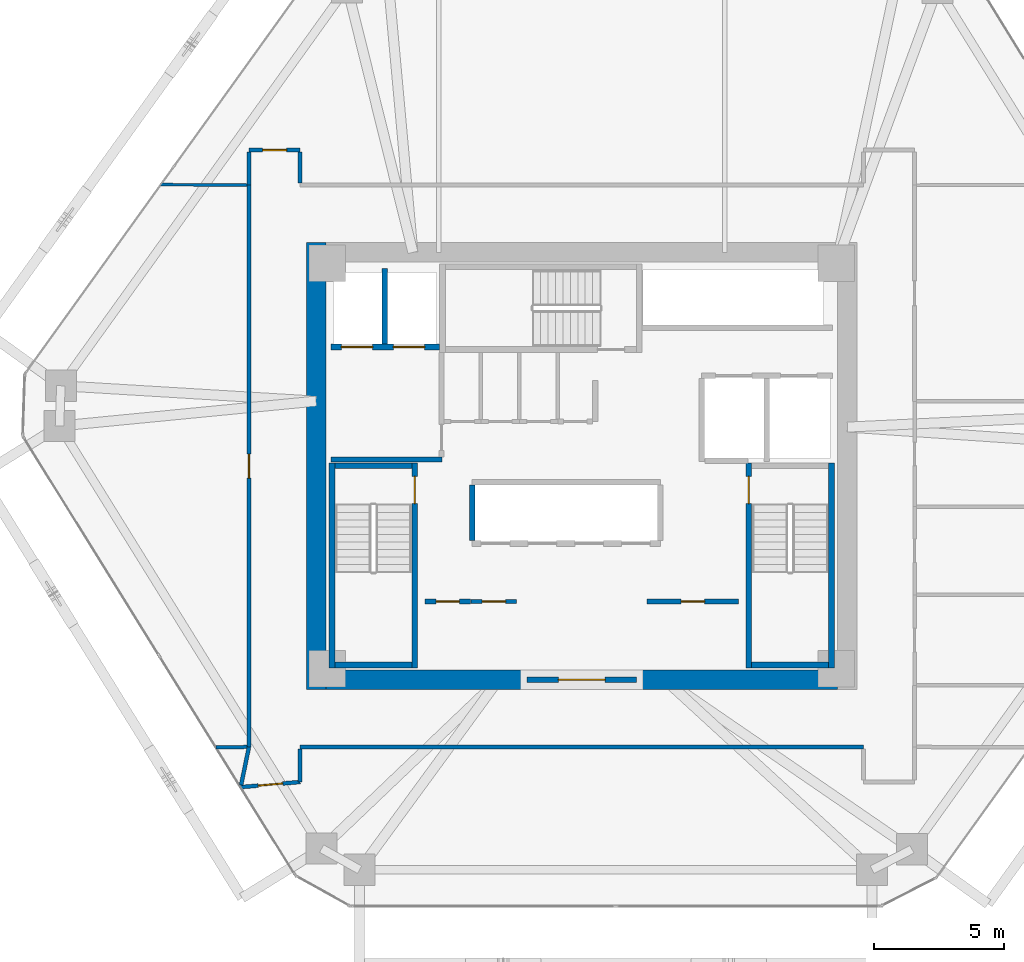
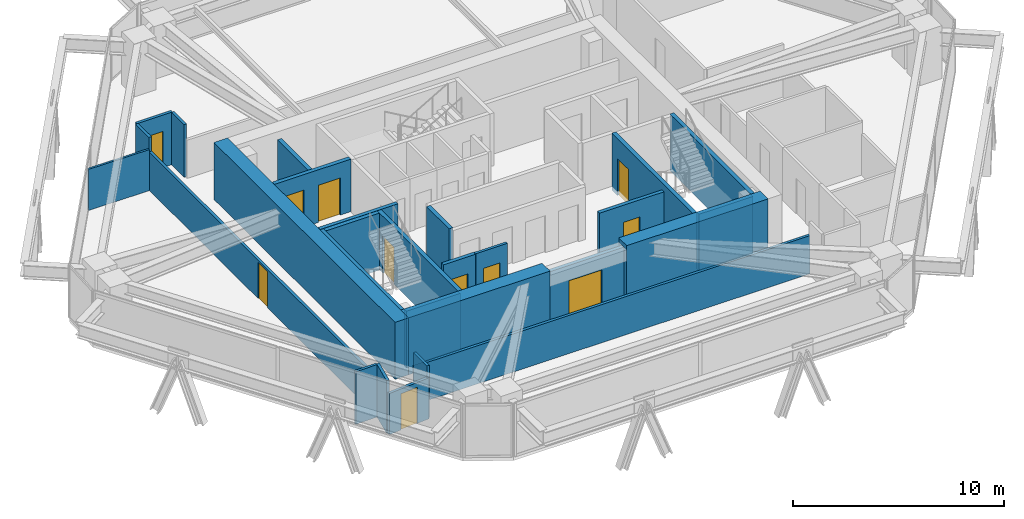
# One storey, part 12 of 15: 28 walls, 11 doors, 11 openings.
"""IFC4 building model written with IfcOpenShell, lengths in metres."""

from ifc_helpers import new_model, si_unit, direction, frame, frame_2d, origin, place, context, subcontext, project, spatial, rectangle, extrude, source, transform, mapped, material, layer, layer_set, type_object, type_shapes, element, fill, save


model = new_model("IFC4")

# Units and contexts
model_context = context("Model", 3, precision=1e-05, world=origin(), true_north=direction((0.0, 1.0)))
body_context = subcontext(model_context, "Body", "Model", "MODEL_VIEW")
ifc_project = project(units=[si_unit("LENGTHUNIT", "METRE"), si_unit("AREAUNIT", "SQUARE_METRE"), si_unit("VOLUMEUNIT", "CUBIC_METRE"), si_unit("PLANEANGLEUNIT", "RADIAN"), si_unit("MASSUNIT", "GRAM", prefix="KILO")], contexts=[model_context])

# Site, building, storey
site_placement = place(None, origin())
site = spatial("IfcSite", under=ifc_project, at=site_placement, CompositionType="ELEMENT")
building_placement = place(site_placement, origin())
building = spatial("IfcBuilding", under=site, at=building_placement, Name="Durnholm Broadcast Tower", CompositionType="ELEMENT")
storey_placement = place(building_placement, frame((0.0, 0.0, 97.5)))
storey = spatial("IfcBuildingStorey", under=building, at=storey_placement, Name="L25", CompositionType="ELEMENT", Elevation=97.5)

# Walls
ifc_material_1 = material(Name="Concrete C70/85", Category="concrete")
ifc_layer_1 = layer(ifc_material_1, 0.75)
ifc_layer_set_1 = layer_set([ifc_layer_1], Name="Concrete C70/85")
wall_type_1 = type_object("IfcWallType", Name="WALL-CW-750", PredefinedType="SHEAR", material=ifc_layer_set_1)
wall_1_placement = place(storey_placement, frame((-10.22509765625, -8.60009765625, 0.0), z_axis=(0.0, 0.0, 1.0), x_axis=(0.0, 1.0, 0.0)))
element("IfcWall", 1, at=wall_1_placement, inside=storey, type_object=wall_type_1, Name="L25 central core shear wall CW-WEST", PredefinedType="SHEAR", context=body_context, shape_type="SweptSolid", body=[
    extrude(rectangle(XDim=17.2001953125, YDim=0.75, at=frame_2d((8.60009765625, 0.0))), origin(), (0.0, 0.0, 1.0), 3.300048828125),
])
for number, where, z_axis, x_axis, name in (
    (2, (-9.85009765625, -8.22509765625, 0.0), (0.0, 0.0, 1.0), (1.0, 0.0, 0.0), "L25 central core shear wall CW-S1"),
    (3, (2.10009765625, -8.22509765625, 0.0), (0.0, 0.0, 1.0), (1.0, 0.0, 0.0), "L25 central core shear wall CW-S2"),
):
    element("IfcWall", number, at=place(storey_placement, frame(where, z_axis=z_axis, x_axis=x_axis)), inside=storey, type_object=wall_type_1, Name=name, PredefinedType="SHEAR", context=body_context, shape_type="SweptSolid", body=[
        extrude(rectangle(XDim=7.75, YDim=0.75, at=frame_2d((3.875, 0.0))), origin(), (0.0, 0.0, 1.0), 3.300048828125),
    ])

# Wall, opening, door
ifc_material_2 = material(Name="Fire-Rated Gypsum Shaftwall", Category="concrete")
ifc_layer_2 = layer(ifc_material_2, 0.199951171875)
ifc_layer_set_2 = layer_set([ifc_layer_2], Name="Fire-Rated Gypsum Shaftwall")
wall_type_2 = type_object("IfcWallType", Name="WALL-LOB-200", PredefinedType="SOLIDWALL", material=ifc_layer_set_2)
wall_2_placement = place(storey_placement, frame((-2.10009765625, -8.22509765625, 0.0), z_axis=(0.0, 0.0, 1.0), x_axis=(1.0, 0.0, 0.0)))
wall_2 = element("IfcWall", 4, at=wall_2_placement, inside=storey, type_object=wall_type_2, Name="L25 south core lobby fire screen", PredefinedType="SOLIDWALL", context=body_context, shape_type="SweptSolid", body=[
    extrude(rectangle(XDim=4.2001953125, YDim=0.199951171875, at=frame_2d((2.10009765625, 0.0))), origin(), (0.0, 0.0, 1.0), 3.044921875),
])
opening_1_placement = place(wall_2_placement, frame((1.199951171875, 0.0, 0.0)))
opening_1 = element("IfcOpeningElement", 5, at=opening_1_placement, cuts=wall_2, Name="Opening DP-60", PredefinedType="OPENING", context=body_context, shape_type="SweptSolid", body=[
    extrude(rectangle(XDim=1.800048828125, YDim=2.14990234375, at=frame_2d((0.89990234375, 1.074951171875))), frame((0.0, 0.10986328125, 0.0), z_axis=(0.0, -1.0, 0.0), x_axis=(1.0, 0.0, 0.0)), (0.0, 0.0, 1.0), 0.219970703125),
])
ifc_material_3 = material(Name="Fire-Rated Double Corridor Door", Category="steel")
ifc_layer_3 = layer(ifc_material_3, 0.050048828125)
ifc_layer_set_3 = layer_set([ifc_layer_3], Name="Fire-Rated Double Corridor Door")
door_type_1 = type_object("IfcDoorType", Name="DOOR-PAIR-FD60", OperationType="DOUBLE_DOOR_SINGLE_SWING", PredefinedType="DOOR", material=ifc_layer_set_3)
shared_shape_1 = source(origin(), body_context, "Body", "SweptSolid", [
    extrude(rectangle(XDim=1.800048828125, YDim=2.14990234375, at=frame_2d((0.89990234375, 1.074951171875))), frame((0.0, 0.02490234375, 0.0), z_axis=(0.0, -1.0, 0.0), x_axis=(1.0, 0.0, 0.0)), (0.0, 0.0, 1.0), 0.050048828125),
])
type_shapes(door_type_1, [shared_shape_1])
door_1_placement = place(opening_1_placement, origin())
door_1 = element("IfcDoor", 6, at=door_1_placement, inside=storey, type_object=door_type_1, Name="L25 south core lobby double fire door", OperationType="DOUBLE_DOOR_SINGLE_SWING", OverallHeight=2.14990234375, OverallWidth=1.800048828125, PredefinedType="DOOR", context=body_context, shape_type="MappedRepresentation", body=[
    mapped(shared_shape_1, transform((0.0, 0.0, 0.0), x_axis=(1.0, 0.0, 0.0), y_axis=(0.0, 1.0, 0.0), z_axis=(0.0, 0.0, 1.0), scale=1.0)),
])
fill(opening_1, door_1)

# Wall
wall_3_placement = place(storey_placement, frame((-9.64990234375, 0.25, 0.0), z_axis=(0.0, 0.0, 1.0), x_axis=(1.0, 0.0, 0.0)))
element("IfcWall", 7, at=wall_3_placement, inside=storey, type_object=wall_type_2, Name="L25 Fire Service Access Elevator lobby south wall", PredefinedType="SOLIDWALL", context=body_context, shape_type="SweptSolid", body=[
    extrude(rectangle(XDim=4.27001953125, YDim=0.199951171875, at=frame_2d((2.135009765625, 0.0))), origin(), (0.0, 0.0, 1.0), 3.044921875),
])

# Wall, opening, door
wall_4_placement = place(storey_placement, frame((-6.0400390625, -5.2099609375, 0.0), z_axis=(0.0, 0.0, 1.0), x_axis=(1.0, 0.0, 0.0)))
wall_4 = element("IfcWall", 8, at=wall_4_placement, inside=storey, type_object=wall_type_2, Name="L25 Media Fiber Patch Room corridor partition", PredefinedType="SOLIDWALL", context=body_context, shape_type="SweptSolid", body=[
    extrude(rectangle(XDim=1.760009765625, YDim=0.199951171875, at=frame_2d((0.8798828125, 0.0))), origin(), (0.0, 0.0, 1.0), 3.044921875),
])
opening_2_placement = place(wall_4_placement, frame((0.429931640625, 0.0, 0.0)))
opening_2 = element("IfcOpeningElement", 9, at=opening_2_placement, cuts=wall_4, Name="Opening DC-60L", PredefinedType="OPENING", context=body_context, shape_type="SweptSolid", body=[
    extrude(rectangle(XDim=0.89990234375, YDim=2.050048828125, at=frame_2d((0.449951171875, 1.02490234375))), frame((0.0, 0.10986328125, 0.0), z_axis=(0.0, -1.0, 0.0), x_axis=(1.0, 0.0, 0.0)), (0.0, 0.0, 1.0), 0.219970703125),
])
ifc_material_4 = material(Name="Fire-Rated Core Service Door", Category="steel")
ifc_layer_4 = layer(ifc_material_4, 0.050048828125)
ifc_layer_set_4 = layer_set([ifc_layer_4], Name="Fire-Rated Core Service Door")
door_type_2 = type_object("IfcDoorType", Name="DOOR-CORE-FD60-L", OperationType="NOTDEFINED", PredefinedType="DOOR", material=ifc_layer_set_4)
shared_shape_2 = source(origin(), body_context, "Body", "SweptSolid", [
    extrude(rectangle(XDim=0.89990234375, YDim=2.050048828125, at=frame_2d((0.449951171875, 1.02490234375))), frame((0.0, 0.02490234375, 0.0), z_axis=(0.0, -1.0, 0.0), x_axis=(1.0, 0.0, 0.0)), (0.0, 0.0, 1.0), 0.050048828125),
])
type_shapes(door_type_2, [shared_shape_2])
door_2_placement = place(opening_2_placement, origin())
door_2 = element("IfcDoor", 10, at=door_2_placement, inside=storey, type_object=door_type_2, Name="L25 Media Fiber Patch Room entrance door", OperationType="SINGLE_SWING_LEFT", OverallHeight=2.050048828125, OverallWidth=0.89990234375, PredefinedType="DOOR", context=body_context, shape_type="MappedRepresentation", body=[
    mapped(shared_shape_2, transform((0.0, 0.0, 0.0), x_axis=(1.0, 0.0, 0.0), y_axis=(0.0, 1.0, 0.0), z_axis=(0.0, 0.0, 1.0), scale=1.0)),
])
fill(opening_2, door_2)

wall_5_placement = place(storey_placement, frame((2.510009765625, -5.2099609375, 0.0), z_axis=(0.0, 0.0, 1.0), x_axis=(1.0, 0.0, 0.0)))
wall_5 = element("IfcWall", 11, at=wall_5_placement, inside=storey, type_object=wall_type_2, Name="L25 Telemetry Control Closet corridor partition", PredefinedType="SOLIDWALL", context=body_context, shape_type="SweptSolid", body=[
    extrude(rectangle(XDim=3.530029296875, YDim=0.199951171875, at=frame_2d((1.76513671875, 0.0))), origin(), (0.0, 0.0, 1.0), 3.044921875),
])
opening_3_placement = place(wall_5_placement, frame((1.31494140625, 0.0, 0.0)))
opening_3 = element("IfcOpeningElement", 12, at=opening_3_placement, cuts=wall_5, Name="Opening DC-60L", PredefinedType="OPENING", context=body_context, shape_type="SweptSolid", body=[
    extrude(rectangle(XDim=0.89990234375, YDim=2.050048828125, at=frame_2d((0.449951171875, 1.02490234375))), frame((0.0, 0.10986328125, 0.0), z_axis=(0.0, -1.0, 0.0), x_axis=(1.0, 0.0, 0.0)), (0.0, 0.0, 1.0), 0.219970703125),
])
door_3_placement = place(opening_3_placement, origin())
door_3 = element("IfcDoor", 13, at=door_3_placement, inside=storey, type_object=door_type_2, Name="L25 Telemetry Control Closet entrance door", OperationType="SINGLE_SWING_LEFT", OverallHeight=2.050048828125, OverallWidth=0.89990234375, PredefinedType="DOOR", context=body_context, shape_type="MappedRepresentation", body=[
    mapped(shared_shape_2, transform((0.0, 0.0, 0.0), x_axis=(1.0, 0.0, 0.0), y_axis=(0.0, 1.0, 0.0), z_axis=(0.0, 0.0, 1.0), scale=1.0)),
])
fill(opening_3, door_3)

# Walls
ifc_material_5 = material(Name="Operable Acoustic Panel Partition", Category="aluminium")
ifc_layer_5 = layer(ifc_material_5, 0.110107421875)
ifc_layer_set_5 = layer_set([ifc_layer_5], Name="Operable Acoustic Panel Partition")
wall_type_3 = type_object("IfcWallType", Name="WALL-MOV-110", PredefinedType="MOVABLE", material=ifc_layer_set_5)
wall_6_placement = place(storey_placement, frame((-12.888916015625, 10.810546875, 0.0), z_axis=(0.0, 0.0, 1.0), x_axis=(-0.999976657862, 0.006832549348, 0.0)))
element("IfcWall", 14, at=wall_6_placement, inside=storey, type_object=wall_type_3, Name="L25 room dividing partition 11.13", PredefinedType="MOVABLE", context=body_context, shape_type="SweptSolid", body=[
    extrude(rectangle(XDim=3.322998046875, YDim=0.110107421875, at=frame_2d((1.66162109375, 0.0))), origin(), (0.0, 0.0, 1.0), 2.3798828125),
])
ifc_material_6 = material(Name="Gypsum Metal Stud Partition", Category="concrete")
ifc_layer_6 = layer(ifc_material_6, 0.135009765625)
ifc_layer_set_6 = layer_set([ifc_layer_6], Name="Gypsum Metal Stud Partition")
wall_type_4 = type_object("IfcWallType", Name="WALL-PART-135", PredefinedType="PARTITIONING", material=ifc_layer_set_6)
wall_7_placement = place(storey_placement, frame((-14.075927734375, -10.8310546875, 0.0), z_axis=(0.0, 0.0, 1.0), x_axis=(0.999860796611, 0.016684945308, 0.0)))
element("IfcWall", 15, at=wall_7_placement, inside=storey, type_object=wall_type_4, Name="L25 room dividing partition 12.13", PredefinedType="PARTITIONING", context=body_context, shape_type="SweptSolid", body=[
    extrude(rectangle(XDim=1.185302734375, YDim=0.135009765625, at=frame_2d((0.5927734375, 0.0))), origin(), (0.0, 0.0, 1.0), 3.044921875),
])

# Wall, opening, door
ifc_material_7 = material(Name="Acoustic Gypsum Stud Partition", Category="concrete")
ifc_layer_7 = layer(ifc_material_7, 0.14990234375)
ifc_layer_set_7 = layer_set([ifc_layer_7], Name="Acoustic Gypsum Stud Partition")
wall_type_5 = type_object("IfcWallType", Name="WALL-PART-150", PredefinedType="PARTITIONING", material=ifc_layer_set_7)
wall_8_placement = place(storey_placement, frame((-4.260009765625, -5.2099609375, 0.0), z_axis=(0.0, 0.0, 1.0), x_axis=(1.0, 0.0, 0.0)))
wall_8 = element("IfcWall", 16, at=wall_8_placement, inside=storey, type_object=wall_type_5, Name="L25 Copy and Print Room corridor partition", PredefinedType="PARTITIONING", context=body_context, shape_type="SweptSolid", body=[
    extrude(rectangle(XDim=1.75, YDim=0.14990234375, at=frame_2d((0.875, 0.0))), origin(), (0.0, 0.0, 1.0), 3.044921875),
])
opening_4_placement = place(wall_8_placement, frame((0.425048828125, 0.0, 0.0)))
opening_4 = element("IfcOpeningElement", 17, at=opening_4_placement, cuts=wall_8, Name="Opening DC-60R", PredefinedType="OPENING", context=body_context, shape_type="SweptSolid", body=[
    extrude(rectangle(XDim=0.89990234375, YDim=2.050048828125, at=frame_2d((0.449951171875, 1.02490234375))), frame((0.0, 0.0849609375, 0.0), z_axis=(0.0, -1.0, 0.0), x_axis=(1.0, 0.0, 0.0)), (0.0, 0.0, 1.0), 0.169921875),
])
ifc_layer_8 = layer(ifc_material_4, 0.050048828125)
ifc_layer_set_8 = layer_set([ifc_layer_8], Name="Fire-Rated Core Service Door")
door_type_3 = type_object("IfcDoorType", Name="DOOR-CORE-FD60-R", OperationType="NOTDEFINED", PredefinedType="DOOR", material=ifc_layer_set_8)
shared_shape_3 = source(origin(), body_context, "Body", "SweptSolid", [
    extrude(rectangle(XDim=0.89990234375, YDim=2.050048828125, at=frame_2d((0.449951171875, 1.02490234375))), frame((0.0, 0.02490234375, 0.0), z_axis=(0.0, -1.0, 0.0), x_axis=(1.0, 0.0, 0.0)), (0.0, 0.0, 1.0), 0.050048828125),
])
type_shapes(door_type_3, [shared_shape_3])
door_4_placement = place(opening_4_placement, origin())
door_4 = element("IfcDoor", 18, at=door_4_placement, inside=storey, type_object=door_type_3, Name="L25 Copy and Print Room entrance door", OperationType="SINGLE_SWING_RIGHT", OverallHeight=2.050048828125, OverallWidth=0.89990234375, PredefinedType="DOOR", context=body_context, shape_type="MappedRepresentation", body=[
    mapped(shared_shape_3, transform((0.0, 0.0, 0.0), x_axis=(1.0, 0.0, 0.0), y_axis=(0.0, 1.0, 0.0), z_axis=(0.0, 0.0, 1.0), scale=1.0)),
])
fill(opening_4, door_4)

wall_9_placement = place(storey_placement, frame((-10.840087890625, 12.159912109375, 0.0), z_axis=(0.0, 0.0, 1.0), x_axis=(-1.0, 0.0, 0.0)))
wall_9 = element("IfcWall", 19, at=wall_9_placement, inside=storey, type_object=wall_type_5, Name="L25 Network Operations Hall corridor partition", PredefinedType="PARTITIONING", context=body_context, shape_type="SweptSolid", body=[
    extrude(rectangle(XDim=1.969970703125, YDim=0.14990234375, at=frame_2d((0.98486328125, 0.0))), origin(), (0.0, 0.0, 1.0), 3.044921875),
])
opening_5_placement = place(wall_9_placement, frame((0.52490234375, 0.0, 0.0)))
opening_5 = element("IfcOpeningElement", 20, at=opening_5_placement, cuts=wall_9, Name="Opening DR-92L", PredefinedType="OPENING", context=body_context, shape_type="SweptSolid", body=[
    extrude(rectangle(XDim=0.919921875, YDim=2.10009765625, at=frame_2d((0.4599609375, 1.050048828125))), frame((0.0, 0.0849609375, 0.0), z_axis=(0.0, -1.0, 0.0), x_axis=(1.0, 0.0, 0.0)), (0.0, 0.0, 1.0), 0.169921875),
])
ifc_material_8 = material(Name="Oak Veneer Office Door", Category="wood")
ifc_layer_9 = layer(ifc_material_8, 0.050048828125)
ifc_layer_set_9 = layer_set([ifc_layer_9], Name="Oak Veneer Office Door")
door_type_4 = type_object("IfcDoorType", Name="DOOR-RM-920L", OperationType="NOTDEFINED", PredefinedType="DOOR", material=ifc_layer_set_9)
shared_shape_4 = source(origin(), body_context, "Body", "SweptSolid", [
    extrude(rectangle(XDim=0.919921875, YDim=2.10009765625, at=frame_2d((0.4599609375, 1.050048828125))), frame((0.0, 0.02490234375, 0.0), z_axis=(0.0, -1.0, 0.0), x_axis=(1.0, 0.0, 0.0)), (0.0, 0.0, 1.0), 0.050048828125),
])
type_shapes(door_type_4, [shared_shape_4])
door_5_placement = place(opening_5_placement, origin())
door_5 = element("IfcDoor", 21, at=door_5_placement, inside=storey, type_object=door_type_4, Name="L25 Network Operations Hall entrance door", OperationType="SINGLE_SWING_LEFT", OverallHeight=2.10009765625, OverallWidth=0.919921875, PredefinedType="DOOR", context=body_context, shape_type="MappedRepresentation", body=[
    mapped(shared_shape_4, transform((0.0, 0.0, 0.0), x_axis=(1.0, 0.0, 0.0), y_axis=(0.0, 1.0, 0.0), z_axis=(0.0, 0.0, 1.0), scale=1.0)),
])
fill(opening_5, door_5)

# Walls
wall_10_placement = place(storey_placement, frame((-10.840087890625, 10.888916015625, 0.0), z_axis=(0.0, 0.0, 1.0), x_axis=(0.0, 1.0, 0.0)))
element("IfcWall", 22, at=wall_10_placement, inside=storey, type_object=wall_type_5, Name="L25 Network Operations Hall corridor partition", PredefinedType="PARTITIONING", context=body_context, shape_type="SweptSolid", body=[
    extrude(rectangle(XDim=1.192138671875, YDim=0.14990234375, at=frame_2d((0.59619140625, 0.0))), origin(), (0.0, 0.0, 1.0), 3.044921875),
])
wall_11_placement = place(storey_placement, frame((-12.81005859375, 12.0810546875, 0.0), z_axis=(0.0, 0.0, 1.0), x_axis=(0.0, -1.0, 0.0)))
element("IfcWall", 23, at=wall_11_placement, inside=storey, type_object=wall_type_5, Name="L25 Network Operations Hall corridor partition", PredefinedType="PARTITIONING", context=body_context, shape_type="SweptSolid", body=[
    extrude(rectangle(XDim=1.27099609375, YDim=0.14990234375, at=frame_2d((0.635498046875, 0.0))), origin(), (0.0, 0.0, 1.0), 3.044921875),
])
wall_12_placement = place(storey_placement, frame((-10.840087890625, -10.81005859375, 0.0), z_axis=(0.0, 0.0, 1.0), x_axis=(1.0, 0.0, 0.0)))
element("IfcWall", 24, at=wall_12_placement, inside=storey, type_object=wall_type_5, Name="L25 Open Plan Broadcast Workspace 3 corridor partition", PredefinedType="PARTITIONING", context=body_context, shape_type="SweptSolid", body=[
    extrude(rectangle(XDim=21.68017578125, YDim=0.14990234375, at=frame_2d((10.840087890625, 0.0))), origin(), (0.0, 0.0, 1.0), 2.212158203125),
])

# Wall, opening, door
wall_13_placement = place(storey_placement, frame((-13.12890625, -12.35791015625, 0.0), z_axis=(0.0, 0.0, 1.0), x_axis=(0.996279168698, 0.086184789953, 0.0)))
wall_13 = element("IfcWall", 25, at=wall_13_placement, inside=storey, type_object=wall_type_5, Name="L25 Open Plan Broadcast Workspace 3 corridor partition", PredefinedType="PARTITIONING", context=body_context, shape_type="SweptSolid", body=[
    extrude(rectangle(XDim=2.29736328125, YDim=0.14990234375, at=frame_2d((1.148681640625, 0.0))), origin(), (0.0, 0.0, 1.0), 2.3798828125),
])
opening_6_placement = place(wall_13_placement, frame((0.673583984375, 0.0, 0.0)))
opening_6 = element("IfcOpeningElement", 26, at=opening_6_placement, cuts=wall_13, Name="Opening DR-95R", PredefinedType="OPENING", context=body_context, shape_type="SweptSolid", body=[
    extrude(rectangle(XDim=0.949951171875, YDim=2.10009765625, at=frame_2d((0.47509765625, 1.050048828125))), frame((0.0, 0.0849609375, 0.0), z_axis=(0.0, -1.0, 0.0), x_axis=(1.0, 0.0, 0.0)), (0.0, 0.0, 1.0), 0.169921875),
])
ifc_material_9 = material(Name="Acoustic Oak Veneer Timber Door", Category="wood")
ifc_layer_10 = layer(ifc_material_9, 0.050048828125)
ifc_layer_set_10 = layer_set([ifc_layer_10], Name="Acoustic Oak Veneer Timber Door")
door_type_5 = type_object("IfcDoorType", Name="DOOR-RM-950R", OperationType="NOTDEFINED", PredefinedType="DOOR", material=ifc_layer_set_10)
shared_shape_5 = source(origin(), body_context, "Body", "SweptSolid", [
    extrude(rectangle(XDim=0.949951171875, YDim=2.10009765625, at=frame_2d((0.47509765625, 1.050048828125))), frame((0.0, 0.02490234375, 0.0), z_axis=(0.0, -1.0, 0.0), x_axis=(1.0, 0.0, 0.0)), (0.0, 0.0, 1.0), 0.050048828125),
])
type_shapes(door_type_5, [shared_shape_5])
door_6_placement = place(opening_6_placement, origin())
door_6 = element("IfcDoor", 27, at=door_6_placement, inside=storey, type_object=door_type_5, Name="L25 Open Plan Broadcast Workspace 3 entrance door", OperationType="SINGLE_SWING_RIGHT", OverallHeight=2.10009765625, OverallWidth=0.949951171875, PredefinedType="DOOR", context=body_context, shape_type="MappedRepresentation", body=[
    mapped(shared_shape_5, transform((0.0, 0.0, 0.0), x_axis=(1.0, 0.0, 0.0), y_axis=(0.0, 1.0, 0.0), z_axis=(0.0, 0.0, 1.0), scale=1.0)),
])
fill(opening_6, door_6)

# Walls
wall_14_placement = place(storey_placement, frame((-12.81005859375, -10.81005859375, 0.0), z_axis=(0.0, 0.0, 1.0), x_axis=(-0.201786289638, -0.979429575474, 0.0)))
element("IfcWall", 28, at=wall_14_placement, inside=storey, type_object=wall_type_5, Name="L25 Open Plan Broadcast Workspace 3 corridor partition", PredefinedType="PARTITIONING", context=body_context, shape_type="SweptSolid", body=[
    extrude(rectangle(XDim=1.497802734375, YDim=0.14990234375, at=frame_2d((0.7490234375, 0.0))), origin(), (0.0, 0.0, 1.0), 3.044921875),
])
wall_15_placement = place(storey_placement, frame((-10.840087890625, -12.159912109375, 0.0), z_axis=(0.0, 0.0, 1.0), x_axis=(0.0, 1.0, 0.0)))
element("IfcWall", 29, at=wall_15_placement, inside=storey, type_object=wall_type_5, Name="L25 Open Plan Broadcast Workspace 3 corridor partition", PredefinedType="PARTITIONING", context=body_context, shape_type="SweptSolid", body=[
    extrude(rectangle(XDim=1.27099609375, YDim=0.14990234375, at=frame_2d((0.635498046875, 0.0))), origin(), (0.0, 0.0, 1.0), 3.044921875),
])

# Wall, opening, door
wall_16_placement = place(storey_placement, frame((-12.81005859375, 10.81005859375, 0.0), z_axis=(0.0, 0.0, 1.0), x_axis=(0.0, -1.0, 0.0)))
wall_16 = element("IfcWall", 30, at=wall_16_placement, inside=storey, type_object=wall_type_5, Name="L25 Engineering Briefing Meeting Room corridor partition", PredefinedType="PARTITIONING", context=body_context, shape_type="SweptSolid", body=[
    extrude(rectangle(XDim=21.6201171875, YDim=0.14990234375, at=frame_2d((10.81005859375, 0.0))), origin(), (0.0, 0.0, 1.0), 2.212158203125),
])
opening_7_placement = place(wall_16_placement, frame((10.35009765625, 0.0, 0.0)))
opening_7 = element("IfcOpeningElement", 31, at=opening_7_placement, cuts=wall_16, Name="Opening DR-92L", PredefinedType="OPENING", context=body_context, shape_type="SweptSolid", body=[
    extrude(rectangle(XDim=0.919921875, YDim=2.10009765625, at=frame_2d((0.4599609375, 1.050048828125))), frame((0.0, 0.0849609375, 0.0), z_axis=(0.0, -1.0, 0.0), x_axis=(1.0, 0.0, 0.0)), (0.0, 0.0, 1.0), 0.169921875),
])
door_7_placement = place(opening_7_placement, origin())
door_7 = element("IfcDoor", 32, at=door_7_placement, inside=storey, type_object=door_type_4, Name="L25 Engineering Briefing Meeting Room entrance door", OperationType="SINGLE_SWING_LEFT", OverallHeight=2.10009765625, OverallWidth=0.919921875, PredefinedType="DOOR", context=body_context, shape_type="MappedRepresentation", body=[
    mapped(shared_shape_4, transform((0.0, 0.0, 0.0), x_axis=(1.0, 0.0, 0.0), y_axis=(0.0, 1.0, 0.0), z_axis=(0.0, 0.0, 1.0), scale=1.0)),
])
fill(opening_7, door_7)

# Wall, openings, doors
ifc_material_10 = material(Name="Concrete Blockwork C30/37", Category="masonry")
ifc_layer_11 = layer(ifc_material_10, 0.219970703125)
ifc_layer_set_11 = layer_set([ifc_layer_11], Name="Concrete Blockwork C30/37")
wall_type_6 = type_object("IfcWallType", Name="WALL-SHAFT-220", PredefinedType="SOLIDWALL", material=ifc_layer_set_11)
wall_17_placement = place(storey_placement, frame((-9.64990234375, 4.580078125, 0.0), z_axis=(0.0, 0.0, 1.0), x_axis=(1.0, 0.0, 0.0)))
wall_17 = element("IfcWall", 33, at=wall_17_placement, inside=storey, type_object=wall_type_6, Name="L25 FSAE hoistway front fire wall", PredefinedType="SOLIDWALL", context=body_context, shape_type="SweptSolid", body=[
    extrude(rectangle(XDim=4.1748046875, YDim=0.219970703125, at=frame_2d((2.08740234375, 0.0))), origin(), (0.0, 0.0, 1.0), 3.044921875),
])
opening_8_placement = place(wall_17_placement, frame((0.39990234375, 0.0, 0.0)))
opening_8 = element("IfcOpeningElement", 34, at=opening_8_placement, cuts=wall_17, Name="Opening LD-FSAE-2", PredefinedType="OPENING", context=body_context, shape_type="SweptSolid", body=[
    extrude(rectangle(XDim=1.199951171875, YDim=2.14990234375, at=frame_2d((0.60009765625, 1.074951171875))), frame((0.0, 0.1201171875, 0.0), z_axis=(0.0, -1.0, 0.0), x_axis=(1.0, 0.0, 0.0)), (0.0, 0.0, 1.0), 0.239990234375),
])
opening_9_placement = place(wall_17_placement, frame((2.39990234375, 0.0, 0.0)))
opening_9 = element("IfcOpeningElement", 35, at=opening_9_placement, cuts=wall_17, Name="Opening LD-FSAE-1", PredefinedType="OPENING", context=body_context, shape_type="SweptSolid", body=[
    extrude(rectangle(XDim=1.199951171875, YDim=2.14990234375, at=frame_2d((0.60009765625, 1.074951171875))), frame((0.0, 0.1201171875, 0.0), z_axis=(0.0, -1.0, 0.0), x_axis=(1.0, 0.0, 0.0)), (0.0, 0.0, 1.0), 0.239990234375),
])
ifc_material_11 = material(Name="Fire Service Access Sliding Landing Door", Category="steel")
ifc_layer_12 = layer(ifc_material_11, 0.050048828125)
ifc_layer_set_12 = layer_set([ifc_layer_12], Name="Fire Service Access Sliding Landing Door")
door_type_6 = type_object("IfcDoorType", Name="DOOR-LIFT-FSAE", OperationType="DOUBLE_DOOR_SLIDING", PredefinedType="DOOR", material=ifc_layer_set_12)
shared_shape_6 = source(origin(), body_context, "Body", "SweptSolid", [
    extrude(rectangle(XDim=1.199951171875, YDim=2.14990234375, at=frame_2d((0.60009765625, 1.074951171875))), frame((0.0, 0.02490234375, 0.0), z_axis=(0.0, -1.0, 0.0), x_axis=(1.0, 0.0, 0.0)), (0.0, 0.0, 1.0), 0.050048828125),
])
type_shapes(door_type_6, [shared_shape_6])
door_8_placement = place(opening_8_placement, origin())
door_8 = element("IfcDoor", 36, at=door_8_placement, inside=storey, type_object=door_type_6, Name="L25 Fire Service Access Elevator FSAE-2 sliding landing door", OperationType="DOUBLE_DOOR_SLIDING", OverallHeight=2.14990234375, OverallWidth=1.199951171875, PredefinedType="DOOR", context=body_context, shape_type="MappedRepresentation", body=[
    mapped(shared_shape_6, transform((0.0, 0.0, 0.0), x_axis=(1.0, 0.0, 0.0), y_axis=(0.0, 1.0, 0.0), z_axis=(0.0, 0.0, 1.0), scale=1.0)),
])
fill(opening_8, door_8)
door_9_placement = place(opening_9_placement, origin())
door_9 = element("IfcDoor", 37, at=door_9_placement, inside=storey, type_object=door_type_6, Name="L25 Fire Service Access Elevator FSAE-1 sliding landing door", OperationType="DOUBLE_DOOR_SLIDING", OverallHeight=2.14990234375, OverallWidth=1.199951171875, PredefinedType="DOOR", context=body_context, shape_type="MappedRepresentation", body=[
    mapped(shared_shape_6, transform((0.0, 0.0, 0.0), x_axis=(1.0, 0.0, 0.0), y_axis=(0.0, 1.0, 0.0), z_axis=(0.0, 0.0, 1.0), scale=1.0)),
])
fill(opening_9, door_9)

# Walls
wall_18_placement = place(storey_placement, frame((-7.580078125, 4.694091796875, 0.0), z_axis=(0.0, 0.0, 1.0), x_axis=(0.0, 1.0, 0.0)))
element("IfcWall", 38, at=wall_18_placement, inside=storey, type_object=wall_type_6, Name="L25 FSAE shaft divider wall", PredefinedType="SOLIDWALL", context=body_context, shape_type="SweptSolid", body=[
    extrude(rectangle(XDim=2.906005859375, YDim=0.219970703125, at=frame_2d((1.453125, 0.0))), origin(), (0.0, 0.0, 1.0), 3.044921875),
])
wall_19_placement = place(storey_placement, frame((-4.219970703125, -2.865966796875, 0.0), z_axis=(0.0, 0.0, 1.0), x_axis=(0.0, 1.0, 0.0)))
element("IfcWall", 39, at=wall_19_placement, inside=storey, type_object=wall_type_6, Name="L25 mid-rise bank P2 west shaft wall", PredefinedType="SOLIDWALL", context=body_context, shape_type="SweptSolid", body=[
    extrude(rectangle(XDim=2.132080078125, YDim=0.219970703125, at=frame_2d((1.06591796875, 0.0))), origin(), (0.0, 0.0, 1.0), 3.044921875),
])

# Wall, opening, door
ifc_material_12 = material(Name="Concrete C50/60", Category="concrete")
ifc_layer_13 = layer(ifc_material_12, 0.219970703125)
ifc_layer_set_13 = layer_set([ifc_layer_13], Name="Concrete C50/60")
wall_type_7 = type_object("IfcWallType", Name="WALL-SW-220", PredefinedType="SHEAR", material=ifc_layer_set_13)
wall_20_placement = place(storey_placement, frame((-6.429931640625, -7.77001953125, -0.239990234375), z_axis=(0.0, 0.0, 1.0), x_axis=(0.0, 1.0, 0.0)))
wall_20 = element("IfcWall", 40, at=wall_20_placement, inside=storey, type_object=wall_type_7, Name="L25 stair ST-1 structural shaft wall E", PredefinedType="SHEAR", context=body_context, shape_type="SweptSolid", body=[
    extrude(rectangle(XDim=7.89013671875, YDim=0.219970703125, at=frame_2d((3.945068359375, 0.0))), origin(), (0.0, 0.0, 1.0), 3.300048828125),
])
opening_10_placement = place(wall_20_placement, frame((6.320068359375, 0.0, 0.0)))
opening_10 = element("IfcOpeningElement", 41, at=opening_10_placement, cuts=wall_20, Name="Opening DS-90L", PredefinedType="OPENING", context=body_context, shape_type="SweptSolid", body=[
    extrude(rectangle(XDim=1.050048828125, YDim=2.14990234375, at=frame_2d((0.52490234375, 1.074951171875))), frame((0.0, 0.1201171875, 0.0), z_axis=(0.0, -1.0, 0.0), x_axis=(1.0, 0.0, 0.0)), (0.0, 0.0, 1.0), 0.239990234375),
])
ifc_material_13 = material(Name="Fire-Rated Steel Door", Category="steel")
ifc_layer_14 = layer(ifc_material_13, 0.050048828125)
ifc_layer_set_14 = layer_set([ifc_layer_14], Name="Fire-Rated Steel Door")
door_type_7 = type_object("IfcDoorType", Name="DOOR-ST-FD90-L", OperationType="NOTDEFINED", PredefinedType="DOOR", material=ifc_layer_set_14)
shared_shape_7 = source(origin(), body_context, "Body", "SweptSolid", [
    extrude(rectangle(XDim=1.050048828125, YDim=2.14990234375, at=frame_2d((0.52490234375, 1.074951171875))), frame((0.0, 0.02490234375, 0.0), z_axis=(0.0, -1.0, 0.0), x_axis=(1.0, 0.0, 0.0)), (0.0, 0.0, 1.0), 0.050048828125),
])
type_shapes(door_type_7, [shared_shape_7])
door_10_placement = place(opening_10_placement, origin())
door_10 = element("IfcDoor", 42, at=door_10_placement, inside=storey, type_object=door_type_7, Name="L25 exit stair ST-1 fire door", OperationType="SINGLE_SWING_LEFT", OverallHeight=2.14990234375, OverallWidth=1.050048828125, PredefinedType="DOOR", context=body_context, shape_type="MappedRepresentation", body=[
    mapped(shared_shape_7, transform((0.0, 0.0, 0.0), x_axis=(1.0, 0.0, 0.0), y_axis=(0.0, 1.0, 0.0), z_axis=(0.0, 0.0, 1.0), scale=1.0)),
])
fill(opening_10, door_10)

# Walls
wall_21_placement = place(storey_placement, frame((-9.610107421875, 0.1201171875, -0.239990234375), z_axis=(0.0, 0.0, 1.0), x_axis=(0.0, -1.0, 0.0)))
element("IfcWall", 43, at=wall_21_placement, inside=storey, type_object=wall_type_7, Name="L25 stair ST-1 structural shaft wall W", PredefinedType="SHEAR", context=body_context, shape_type="SweptSolid", body=[
    extrude(rectangle(XDim=7.89013671875, YDim=0.219970703125, at=frame_2d((3.945068359375, 0.0))), origin(), (0.0, 0.0, 1.0), 3.300048828125),
])
for number, where, z_axis, x_axis, name in (
    (44, (-9.5, -7.659912109375, -0.239990234375), (0.0, 0.0, 1.0), (1.0, 0.0, 0.0), "L25 stair ST-1 structural shaft wall S"),
    (45, (-6.5400390625, 0.010009765625, -0.239990234375), (0.0, 0.0, 1.0), (-1.0, 0.0, 0.0), "L25 stair ST-1 structural shaft wall N"),
):
    element("IfcWall", number, at=place(storey_placement, frame(where, z_axis=z_axis, x_axis=x_axis)), inside=storey, type_object=wall_type_7, Name=name, PredefinedType="SHEAR", context=body_context, shape_type="SweptSolid", body=[
        extrude(rectangle(XDim=2.9599609375, YDim=0.219970703125, at=frame_2d((1.47998046875, 0.0))), origin(), (0.0, 0.0, 1.0), 3.300048828125),
    ])
wall_22_placement = place(storey_placement, frame((9.610107421875, -7.77001953125, -0.239990234375), z_axis=(0.0, 0.0, 1.0), x_axis=(0.0, 1.0, 0.0)))
element("IfcWall", 46, at=wall_22_placement, inside=storey, type_object=wall_type_7, Name="L25 stair ST-2 structural shaft wall E", PredefinedType="SHEAR", context=body_context, shape_type="SweptSolid", body=[
    extrude(rectangle(XDim=7.89013671875, YDim=0.219970703125, at=frame_2d((3.945068359375, 0.0))), origin(), (0.0, 0.0, 1.0), 3.300048828125),
])

# Wall, opening, door
wall_23_placement = place(storey_placement, frame((6.429931640625, 0.1201171875, -0.239990234375), z_axis=(0.0, 0.0, 1.0), x_axis=(0.0, -1.0, 0.0)))
wall_23 = element("IfcWall", 47, at=wall_23_placement, inside=storey, type_object=wall_type_7, Name="L25 stair ST-2 structural shaft wall W", PredefinedType="SHEAR", context=body_context, shape_type="SweptSolid", body=[
    extrude(rectangle(XDim=7.89013671875, YDim=0.219970703125, at=frame_2d((3.945068359375, 0.0))), origin(), (0.0, 0.0, 1.0), 3.300048828125),
])
opening_11_placement = place(wall_23_placement, frame((0.52001953125, 0.0, 0.0)))
opening_11 = element("IfcOpeningElement", 48, at=opening_11_placement, cuts=wall_23, Name="Opening DS-90R", PredefinedType="OPENING", context=body_context, shape_type="SweptSolid", body=[
    extrude(rectangle(XDim=1.050048828125, YDim=2.14990234375, at=frame_2d((0.52490234375, 1.074951171875))), frame((0.0, 0.1201171875, 0.0), z_axis=(0.0, -1.0, 0.0), x_axis=(1.0, 0.0, 0.0)), (0.0, 0.0, 1.0), 0.239990234375),
])
ifc_layer_15 = layer(ifc_material_13, 0.050048828125)
ifc_layer_set_15 = layer_set([ifc_layer_15], Name="Fire-Rated Steel Door")
door_type_8 = type_object("IfcDoorType", Name="DOOR-ST-FD90-R", OperationType="NOTDEFINED", PredefinedType="DOOR", material=ifc_layer_set_15)
shared_shape_8 = source(origin(), body_context, "Body", "SweptSolid", [
    extrude(rectangle(XDim=1.050048828125, YDim=2.14990234375, at=frame_2d((0.52490234375, 1.074951171875))), frame((0.0, 0.02490234375, 0.0), z_axis=(0.0, -1.0, 0.0), x_axis=(1.0, 0.0, 0.0)), (0.0, 0.0, 1.0), 0.050048828125),
])
type_shapes(door_type_8, [shared_shape_8])
door_11_placement = place(opening_11_placement, origin())
door_11 = element("IfcDoor", 49, at=door_11_placement, inside=storey, type_object=door_type_8, Name="L25 exit stair ST-2 fire door", OperationType="SINGLE_SWING_RIGHT", OverallHeight=2.14990234375, OverallWidth=1.050048828125, PredefinedType="DOOR", context=body_context, shape_type="MappedRepresentation", body=[
    mapped(shared_shape_8, transform((0.0, 0.0, 0.0), x_axis=(1.0, 0.0, 0.0), y_axis=(0.0, 1.0, 0.0), z_axis=(0.0, 0.0, 1.0), scale=1.0)),
])
fill(opening_11, door_11)

# Wall
wall_24_placement = place(storey_placement, frame((6.5400390625, -7.659912109375, -0.239990234375), z_axis=(0.0, 0.0, 1.0), x_axis=(1.0, 0.0, 0.0)))
element("IfcWall", 50, at=wall_24_placement, inside=storey, type_object=wall_type_7, Name="L25 stair ST-2 structural shaft wall S", PredefinedType="SHEAR", context=body_context, shape_type="SweptSolid", body=[
    extrude(rectangle(XDim=2.9599609375, YDim=0.219970703125, at=frame_2d((1.47998046875, 0.0))), origin(), (0.0, 0.0, 1.0), 3.300048828125),
])

save(model, "model.ifc")
